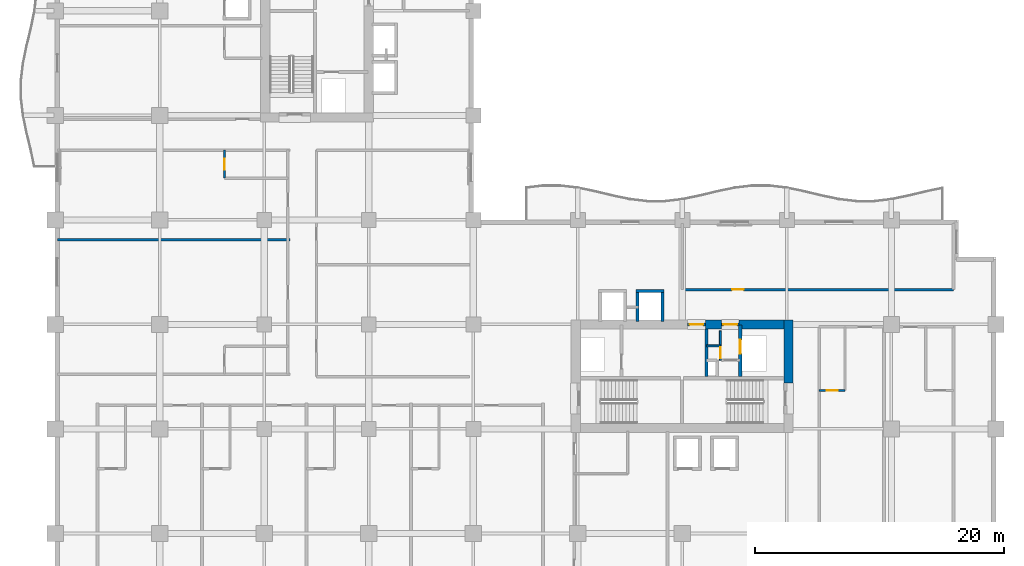
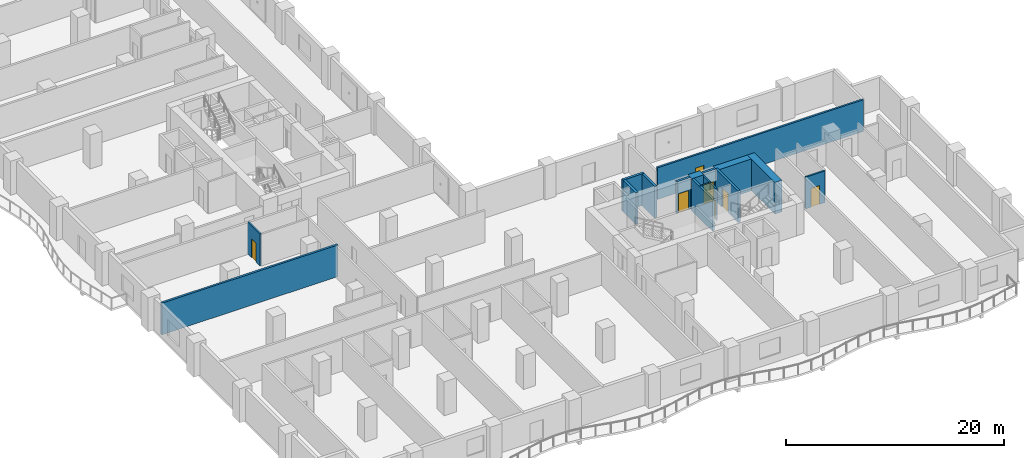
# One storey, part 6 of 18: 16 walls, 7 doors, 7 openings.
"""IFC4 building model written with IfcOpenShell, lengths in metres."""

from ifc_helpers import new_model, si_unit, direction, frame, frame_2d, origin, place, context, subcontext, project, spatial, rectangle, extrude, material, layer, layer_set, type_object, element, fill, save


model = new_model("IFC4")

# Units and contexts
model_context = context("Model", 3, precision=1e-05, world=origin(), true_north=direction((0.0, 1.0)))
body_context = subcontext(model_context, "Body", "Model", "MODEL_VIEW")
ifc_project = project(units=[si_unit("LENGTHUNIT", "METRE"), si_unit("AREAUNIT", "SQUARE_METRE"), si_unit("VOLUMEUNIT", "CUBIC_METRE"), si_unit("PLANEANGLEUNIT", "RADIAN"), si_unit("MASSUNIT", "GRAM", prefix="KILO")], contexts=[model_context])

# Site, building, storey
site_placement = place(None, origin())
site = spatial("IfcSite", under=ifc_project, at=site_placement, CompositionType="ELEMENT")
building_placement = place(site_placement, origin())
building = spatial("IfcBuilding", under=site, at=building_placement, Name="Koriwani Terraces Tower", CompositionType="ELEMENT")
storey_placement = place(building_placement, frame((0.0, 0.0, 100.0)))
storey = spatial("IfcBuildingStorey", under=building, at=storey_placement, Name="L23", CompositionType="ELEMENT", Elevation=100.0)

# Walls
ifc_material_1 = material(Name="Concrete C60/75", Category="concrete")
ifc_layer_1 = layer(ifc_material_1, 0.75, Name="Concrete C60/75")
ifc_layer_set_1 = layer_set([ifc_layer_1], Name="Concrete C60/75")
wall_type_1 = type_object("IfcWallType", Name="WALL_CORE_RC_750", PredefinedType="SHEAR", material=ifc_layer_set_1)
wall_1_placement = place(storey_placement, frame((58.925048828125, 20.5, 0.0), z_axis=(0.0, 0.0, 1.0), x_axis=(0.0, 1.0, 0.0)))
element("IfcWall", 1, at=wall_1_placement, inside=storey, type_object=wall_type_1, Name="L23 East Split Core Shear Wall E2", PredefinedType="SHEAR", context=body_context, shape_type="SweptSolid", body=[
    extrude(rectangle(XDim=5.074951171875, YDim=0.75, at=frame_2d((2.53759765625, 0.0))), origin(), (0.0, 0.0, 1.0), 3.550048828125),
])
wall_2_placement = place(storey_placement, frame((52.280029296875, 25.199951171875, 0.0), z_axis=(0.0, 0.0, 1.0), x_axis=(1.0, 0.0, 0.0)))
element("IfcWall", 2, at=wall_2_placement, inside=storey, type_object=wall_type_1, Name="L23 East Split Core Shear Wall N2", PredefinedType="SHEAR", context=body_context, shape_type="SweptSolid", body=[
    extrude(rectangle(XDim=1.27001953125, YDim=0.75, at=frame_2d((0.635009765625, 0.0))), origin(), (0.0, 0.0, 1.0), 3.550048828125),
])
wall_3_placement = place(storey_placement, frame((54.949951171875, 25.199951171875, 0.0), z_axis=(0.0, 0.0, 1.0), x_axis=(1.0, 0.0, 0.0)))
element("IfcWall", 3, at=wall_3_placement, inside=storey, type_object=wall_type_1, Name="L23 East Split Core Shear Wall N3", PredefinedType="SHEAR", context=body_context, shape_type="SweptSolid", body=[
    extrude(rectangle(XDim=3.60009765625, YDim=0.75, at=frame_2d((1.800048828125, 0.0))), origin(), (0.0, 0.0, 1.0), 3.550048828125),
])

# Wall, opening, door
ifc_material_2 = material(Name="Autoclaved Cellular Concrete Blockwork", Category="masonry")
ifc_layer_2 = layer(ifc_material_2, 0.199951171875, Name="Autoclaved Cellular Concrete Blockwork")
ifc_layer_set_2 = layer_set([ifc_layer_2], Name="Autoclaved Cellular Concrete Blockwork")
wall_type_2 = type_object("IfcWallType", Name="WALL_CORRIDOR_200", PredefinedType="PARTITIONING", material=ifc_layer_set_2)
wall_4_placement = place(storey_placement, frame((50.39990234375, 28.0, 0.0), z_axis=(0.0, 0.0, 1.0), x_axis=(1.0, 0.0, 0.0)))
wall_4 = element("IfcWall", 4, at=wall_4_placement, inside=storey, type_object=wall_type_2, Name="L23 Interior Wall WSEC-S-L23", PredefinedType="PARTITIONING", context=body_context, shape_type="SweptSolid", body=[
    extrude(rectangle(XDim=21.800048828125, YDim=0.199951171875, at=frame_2d((10.89990234375, 0.0))), origin(), (0.0, 0.0, 1.0), 3.550048828125),
])
opening_1_placement = place(wall_4_placement, frame((4.0, 0.0, 0.0)))
opening_1 = element("IfcOpeningElement", 5, at=opening_1_placement, cuts=wall_4, Name="Opening D-06", PredefinedType="OPENING", context=body_context, shape_type="SweptSolid", body=[
    extrude(rectangle(XDim=0.919921875, YDim=2.10009765625, at=frame_2d((0.4599609375, 1.050048828125))), frame((0.0, 0.10986328125, 0.0), z_axis=(0.0, -1.0, 0.0), x_axis=(1.0, 0.0, 0.0)), (0.0, 0.0, 1.0), 0.219970703125),
])
ifc_material_3 = material(Name="Architectural Oak Fire Door", Category="wood")
door_type_1 = type_object("IfcDoorType", Name="DOOR_ROOM_INT_920X2100", OperationType="NOTDEFINED", PredefinedType="DOOR", material=ifc_material_3)
door_1_placement = place(opening_1_placement, origin())
door_1 = element("IfcDoor", 6, at=door_1_placement, inside=storey, type_object=door_type_1, Name="L23 East Court Study Door", OperationType="SINGLE_SWING_RIGHT", OverallHeight=2.10009765625, OverallWidth=0.919921875, PredefinedType="DOOR", context=body_context, shape_type="SweptSolid", body=[
    extrude(rectangle(XDim=0.919921875, YDim=2.10009765625, at=frame_2d((0.4599609375, 1.050048828125))), frame((0.0, 0.02490234375, 0.0), z_axis=(0.0, -1.0, 0.0), x_axis=(1.0, 0.0, 0.0)), (0.0, 0.0, 1.0), 0.050048828125),
])
fill(opening_1, door_1)

# Wall
ifc_layer_3 = layer(ifc_material_2, 0.219970703125, Name="Autoclaved Cellular Concrete Blockwork")
ifc_layer_set_3 = layer_set([ifc_layer_3], Name="Autoclaved Cellular Concrete Blockwork")
wall_type_3 = type_object("IfcWallType", Name="WALL_DEMISING_220", PredefinedType="PARTITIONING", material=ifc_layer_set_3)
wall_5_placement = place(storey_placement, frame((0.199951171875, 32.0, 0.0), z_axis=(0.0, 0.0, 1.0), x_axis=(1.0, 0.0, 0.0)))
element("IfcWall", 7, at=wall_5_placement, inside=storey, type_object=wall_type_3, Name="L23 Interior Wall WDEM-L23-NW-1", PredefinedType="PARTITIONING", context=body_context, shape_type="SweptSolid", body=[
    extrude(rectangle(XDim=18.679931640625, YDim=0.219970703125, at=frame_2d((9.33984375, 0.0))), origin(), (0.0, 0.0, 1.0), 3.550048828125),
])

# Wall, opening, door
ifc_material_4 = material(Name="Fire-Rated Acoustic Gypsum Partition", Category="masonry")
ifc_layer_4 = layer(ifc_material_4, 0.179931640625, Name="Fire-Rated Acoustic Gypsum Partition")
ifc_layer_set_4 = layer_set([ifc_layer_4], Name="Fire-Rated Acoustic Gypsum Partition")
wall_type_4 = type_object("IfcWallType", Name="WALL_PLUMBING_180", PredefinedType="PLUMBINGWALL", material=ifc_layer_set_4)
wall_6_placement = place(storey_placement, frame((13.60009765625, 36.949951171875, 0.0), z_axis=(0.0, 0.0, 1.0), x_axis=(0.0, 1.0, 0.0)))
wall_6 = element("IfcWall", 8, at=wall_6_placement, inside=storey, type_object=wall_type_4, Name="L23 Interior Wall WBTH1-L23-NW-1", PredefinedType="PLUMBINGWALL", context=body_context, shape_type="SweptSolid", body=[
    extrude(rectangle(XDim=2.25, YDim=0.179931640625, at=frame_2d((1.125, 0.0))), origin(), (0.0, 0.0, 1.0), 3.550048828125),
])
opening_2_placement = place(wall_6_placement, frame((0.675048828125, 0.0, 0.0)))
opening_2 = element("IfcOpeningElement", 9, at=opening_2_placement, cuts=wall_6, Name="Opening D-07", PredefinedType="OPENING", context=body_context, shape_type="SweptSolid", body=[
    extrude(rectangle(XDim=0.89990234375, YDim=2.10009765625, at=frame_2d((0.449951171875, 1.050048828125))), frame((0.0, 0.10009765625, 0.0), z_axis=(0.0, -1.0, 0.0), x_axis=(1.0, 0.0, 0.0)), (0.0, 0.0, 1.0), 0.199951171875),
])
door_type_2 = type_object("IfcDoorType", Name="DOOR_BATH_INT_900X2100", OperationType="NOTDEFINED", PredefinedType="DOOR", material=ifc_material_3)
door_2_placement = place(opening_2_placement, origin())
door_2 = element("IfcDoor", 10, at=door_2_placement, inside=storey, type_object=door_type_2, Name="En-Suite Bathroom 23NW2 Door", OperationType="SINGLE_SWING_RIGHT", OverallHeight=2.10009765625, OverallWidth=0.89990234375, PredefinedType="DOOR", context=body_context, shape_type="SweptSolid", body=[
    extrude(rectangle(XDim=0.89990234375, YDim=2.10009765625, at=frame_2d((0.449951171875, 1.050048828125))), frame((0.0, 0.02490234375, 0.0), z_axis=(0.0, -1.0, 0.0), x_axis=(1.0, 0.0, 0.0)), (0.0, 0.0, 1.0), 0.050048828125),
])
fill(opening_2, door_2)

wall_7_placement = place(storey_placement, frame((61.39990234375, 19.89990234375, 0.0), z_axis=(0.0, 0.0, 1.0), x_axis=(1.0, 0.0, 0.0)))
wall_7 = element("IfcWall", 11, at=wall_7_placement, inside=storey, type_object=wall_type_4, Name="L23 Interior Wall WBTH1-L23-SE-0", PredefinedType="PLUMBINGWALL", context=body_context, shape_type="SweptSolid", body=[
    extrude(rectangle(XDim=2.080078125, YDim=0.179931640625, at=frame_2d((1.0400390625, 0.0))), origin(), (0.0, 0.0, 1.0), 3.550048828125),
])
opening_3_placement = place(wall_7_placement, frame((0.590087890625, 0.0, 0.0)))
opening_3 = element("IfcOpeningElement", 12, at=opening_3_placement, cuts=wall_7, Name="Opening D-07", PredefinedType="OPENING", context=body_context, shape_type="SweptSolid", body=[
    extrude(rectangle(XDim=0.89990234375, YDim=2.10009765625, at=frame_2d((0.449951171875, 1.050048828125))), frame((0.0, 0.10009765625, 0.0), z_axis=(0.0, -1.0, 0.0), x_axis=(1.0, 0.0, 0.0)), (0.0, 0.0, 1.0), 0.199951171875),
])
door_3_placement = place(opening_3_placement, origin())
door_3 = element("IfcDoor", 13, at=door_3_placement, inside=storey, type_object=door_type_2, Name="En-Suite Bathroom 23SE1 Door", OperationType="SINGLE_SWING_LEFT", OverallHeight=2.10009765625, OverallWidth=0.89990234375, PredefinedType="DOOR", context=body_context, shape_type="SweptSolid", body=[
    extrude(rectangle(XDim=0.89990234375, YDim=2.10009765625, at=frame_2d((0.449951171875, 1.050048828125))), frame((0.0, 0.02490234375, 0.0), z_axis=(0.0, -1.0, 0.0), x_axis=(1.0, 0.0, 0.0)), (0.0, 0.0, 1.0), 0.050048828125),
])
fill(opening_3, door_3)

ifc_material_5 = material(Name="Concrete C40/50", Category="concrete")
ifc_layer_5 = layer(ifc_material_5, 0.25, Name="Concrete C40/50")
ifc_layer_set_5 = layer_set([ifc_layer_5], Name="Concrete C40/50")
wall_type_5 = type_object("IfcWallType", Name="WALL_SHAFT_RATED_250", PredefinedType="SOLIDWALL", material=ifc_layer_set_5)
wall_8_placement = place(storey_placement, frame((50.800048828125, 25.199951171875, 0.0), z_axis=(0.0, 0.0, 1.0), x_axis=(1.0, 0.0, 0.0)))
wall_8 = element("IfcWall", 14, at=wall_8_placement, inside=storey, type_object=wall_type_5, Name="L23 Interior Wall WIN-CE-L23-NP", PredefinedType="SOLIDWALL", context=body_context, shape_type="SweptSolid", body=[
    extrude(rectangle(XDim=1.47998046875, YDim=0.25, at=frame_2d((0.739990234375, 0.0))), origin(), (0.0, 0.0, 1.0), 3.550048828125),
])
opening_4_placement = place(wall_8_placement, frame((0.179931640625, 0.0, 0.0)))
opening_4 = element("IfcOpeningElement", 15, at=opening_4_placement, cuts=wall_8, Name="Opening D-03", PredefinedType="OPENING", context=body_context, shape_type="SweptSolid", body=[
    extrude(rectangle(XDim=1.10009765625, YDim=2.14990234375, at=frame_2d((0.550048828125, 1.074951171875))), frame((0.0, 0.135009765625, 0.0), z_axis=(0.0, -1.0, 0.0), x_axis=(1.0, 0.0, 0.0)), (0.0, 0.0, 1.0), 0.27001953125),
])
ifc_material_6 = material(Name="Steel ASTM A572 Grade 50", Category="steel")
door_type_3 = type_object("IfcDoorType", Name="DOOR_STAIR_FIRE_1100X2150", OperationType="NOTDEFINED", PredefinedType="DOOR", material=ifc_material_6)
door_4_placement = place(opening_4_placement, origin())
door_4 = element("IfcDoor", 16, at=door_4_placement, inside=storey, type_object=door_type_3, Name="L23 East Firefighting Lobby Door", OperationType="SINGLE_SWING_RIGHT", OverallHeight=2.14990234375, OverallWidth=1.10009765625, PredefinedType="DOOR", context=body_context, shape_type="SweptSolid", body=[
    extrude(rectangle(XDim=1.10009765625, YDim=2.14990234375, at=frame_2d((0.550048828125, 1.074951171875))), frame((0.0, 0.02490234375, 0.0), z_axis=(0.0, -1.0, 0.0), x_axis=(1.0, 0.0, 0.0)), (0.0, 0.0, 1.0), 0.050048828125),
])
fill(opening_4, door_4)

# Wall
wall_9_placement = place(storey_placement, frame((52.340087890625, 21.0, 0.0), z_axis=(0.0, 0.0, 1.0), x_axis=(0.0, 1.0, 0.0)))
element("IfcWall", 17, at=wall_9_placement, inside=storey, type_object=wall_type_5, Name="L23 Interior Wall WIN-CE-L23-FFE", PredefinedType="SOLIDWALL", context=body_context, shape_type="SweptSolid", body=[
    extrude(rectangle(XDim=3.824951171875, YDim=0.25, at=frame_2d((1.91259765625, 0.0))), origin(), (0.0, 0.0, 1.0), 3.550048828125),
])

# Wall, opening, door
wall_10_placement = place(storey_placement, frame((55.050048828125, 21.0, 0.0), z_axis=(0.0, 0.0, 1.0), x_axis=(0.0, 1.0, 0.0)))
wall_10 = element("IfcWall", 18, at=wall_10_placement, inside=storey, type_object=wall_type_5, Name="L23 Interior Wall WIN-CE-L23-SE", PredefinedType="SOLIDWALL", context=body_context, shape_type="SweptSolid", body=[
    extrude(rectangle(XDim=4.14990234375, YDim=0.25, at=frame_2d((2.074951171875, 0.0))), origin(), (0.0, 0.0, 1.0), 3.550048828125),
])
opening_5_placement = place(wall_10_placement, frame((1.85009765625, 0.0, 0.0)))
opening_5 = element("IfcOpeningElement", 19, at=opening_5_placement, cuts=wall_10, Name="Opening LD-01", PredefinedType="OPENING", context=body_context, shape_type="SweptSolid", body=[
    extrude(rectangle(XDim=1.10009765625, YDim=2.14990234375, at=frame_2d((0.550048828125, 1.074951171875))), frame((0.0, 0.135009765625, 0.0), z_axis=(0.0, -1.0, 0.0), x_axis=(1.0, 0.0, 0.0)), (0.0, 0.0, 1.0), 0.27001953125),
])
door_type_4 = type_object("IfcDoorType", Name="DOOR_LIFT_LANDING_1100X2200", OperationType="NOTDEFINED", PredefinedType="DOOR", material=ifc_material_6)
door_5_placement = place(opening_5_placement, origin())
door_5 = element("IfcDoor", 20, at=door_5_placement, inside=storey, type_object=door_type_4, Name="L23 Goods Lift SE-02 Landing Door", OperationType="SLIDING_TO_LEFT", OverallHeight=2.14990234375, OverallWidth=1.10009765625, PredefinedType="DOOR", context=body_context, shape_type="SweptSolid", body=[
    extrude(rectangle(XDim=1.10009765625, YDim=2.14990234375, at=frame_2d((0.550048828125, 1.074951171875))), frame((0.0, 0.02490234375, 0.0), z_axis=(0.0, -1.0, 0.0), x_axis=(1.0, 0.0, 0.0)), (0.0, 0.0, 1.0), 0.050048828125),
])
fill(opening_5, door_5)

wall_11_placement = place(storey_placement, frame((53.550048828125, 25.199951171875, 0.0), z_axis=(0.0, 0.0, 1.0), x_axis=(1.0, 0.0, 0.0)))
wall_11 = element("IfcWall", 21, at=wall_11_placement, inside=storey, type_object=wall_type_5, Name="L23 Interior Wall WIN-CE-L23-NP2", PredefinedType="SOLIDWALL", context=body_context, shape_type="SweptSolid", body=[
    extrude(rectangle(XDim=1.39990234375, YDim=0.25, at=frame_2d((0.699951171875, 0.0))), origin(), (0.0, 0.0, 1.0), 3.550048828125),
])
opening_6_placement = place(wall_11_placement, frame((0.14990234375, 0.0, 0.0)))
opening_6 = element("IfcOpeningElement", 22, at=opening_6_placement, cuts=wall_11, Name="Opening D-03", PredefinedType="OPENING", context=body_context, shape_type="SweptSolid", body=[
    extrude(rectangle(XDim=1.10009765625, YDim=2.14990234375, at=frame_2d((0.550048828125, 1.074951171875))), frame((0.0, 0.135009765625, 0.0), z_axis=(0.0, -1.0, 0.0), x_axis=(1.0, 0.0, 0.0)), (0.0, 0.0, 1.0), 0.27001953125),
])
door_6_placement = place(opening_6_placement, origin())
door_6 = element("IfcDoor", 23, at=door_6_placement, inside=storey, type_object=door_type_3, Name="L23 East Goods Lift Lobby Door", OperationType="SINGLE_SWING_LEFT", OverallHeight=2.14990234375, OverallWidth=1.10009765625, PredefinedType="DOOR", context=body_context, shape_type="SweptSolid", body=[
    extrude(rectangle(XDim=1.10009765625, YDim=2.14990234375, at=frame_2d((0.550048828125, 1.074951171875))), frame((0.0, 0.02490234375, 0.0), z_axis=(0.0, -1.0, 0.0), x_axis=(1.0, 0.0, 0.0)), (0.0, 0.0, 1.0), 0.050048828125),
])
fill(opening_6, door_6)

# Walls
wall_12_placement = place(storey_placement, frame((46.675048828125, 27.89990234375, 0.0), z_axis=(0.0, 0.0, 1.0), x_axis=(1.0, 0.0, 0.0)))
element("IfcWall", 24, at=wall_12_placement, inside=storey, type_object=wall_type_5, Name="L23 Interior Wall WIN-LF-PE-H4-L23-F", PredefinedType="SOLIDWALL", context=body_context, shape_type="SweptSolid", body=[
    extrude(rectangle(XDim=2.25, YDim=0.25, at=frame_2d((1.125, 0.0))), origin(), (0.0, 0.0, 1.0), 3.550048828125),
])
for number, where, z_axis, x_axis, name in (
    (25, (46.800048828125, 25.449951171875, 0.0), (0.0, 0.0, 1.0), (0.0, 1.0, 0.0), "L23 Interior Wall WIN-LF-PE-H4-L23-W"),
    (26, (48.800048828125, 25.449951171875, 0.0), (0.0, 0.0, 1.0), (0.0, 1.0, 0.0), "L23 Interior Wall WIN-LF-PE-H4-L23-E"),
):
    element("IfcWall", number, at=place(storey_placement, frame(where, z_axis=z_axis, x_axis=x_axis)), inside=storey, type_object=wall_type_5, Name=name, PredefinedType="SOLIDWALL", context=body_context, shape_type="SweptSolid", body=[
        extrude(rectangle(XDim=2.324951171875, YDim=0.25, at=frame_2d((1.16259765625, 0.0))), origin(), (0.0, 0.0, 1.0), 3.550048828125),
    ])

# Wall, opening, door
ifc_layer_6 = layer(ifc_material_4, 0.159912109375, Name="Fire-Rated Acoustic Gypsum Partition")
ifc_layer_set_6 = layer_set([ifc_layer_6], Name="Fire-Rated Acoustic Gypsum Partition")
wall_type_6 = type_object("IfcWallType", Name="WALL_SUITE_160", PredefinedType="PARTITIONING", material=ifc_layer_set_6)
wall_13_placement = place(storey_placement, frame((53.4599609375, 22.320068359375, 0.0), z_axis=(0.0, 0.0, 1.0), x_axis=(0.0, 1.0, 0.0)))
wall_13 = element("IfcWall", 27, at=wall_13_placement, inside=storey, type_object=wall_type_6, Name="L23 Interior Wall WIN-CE-L23-SV2H", PredefinedType="PARTITIONING", context=body_context, shape_type="SweptSolid", body=[
    extrude(rectangle(XDim=2.35986328125, YDim=0.159912109375, at=frame_2d((1.179931640625, 0.0))), origin(), (0.0, 0.0, 1.0), 3.550048828125),
])
opening_7_placement = place(wall_13_placement, frame((0.159912109375, 0.0, 0.0)))
opening_7 = element("IfcOpeningElement", 28, at=opening_7_placement, cuts=wall_13, Name="Opening D-07", PredefinedType="OPENING", context=body_context, shape_type="SweptSolid", body=[
    extrude(rectangle(XDim=0.89990234375, YDim=2.10009765625, at=frame_2d((0.449951171875, 1.050048828125))), frame((0.0, 0.08984375, 0.0), z_axis=(0.0, -1.0, 0.0), x_axis=(1.0, 0.0, 0.0)), (0.0, 0.0, 1.0), 0.179931640625),
])
door_7_placement = place(opening_7_placement, origin())
door_7 = element("IfcDoor", 29, at=door_7_placement, inside=storey, type_object=door_type_2, Name="L23 East Valve Room Door", OperationType="SINGLE_SWING_LEFT", OverallHeight=2.10009765625, OverallWidth=0.89990234375, PredefinedType="DOOR", context=body_context, shape_type="SweptSolid", body=[
    extrude(rectangle(XDim=0.89990234375, YDim=2.10009765625, at=frame_2d((0.449951171875, 1.050048828125))), frame((0.0, 0.02490234375, 0.0), z_axis=(0.0, -1.0, 0.0), x_axis=(1.0, 0.0, 0.0)), (0.0, 0.0, 1.0), 0.050048828125),
])
fill(opening_7, door_7)

# Wall
wall_14_placement = place(storey_placement, frame((52.360107421875, 23.47998046875, 0.0), z_axis=(0.0, 0.0, 1.0), x_axis=(1.0, 0.0, 0.0)))
element("IfcWall", 30, at=wall_14_placement, inside=storey, type_object=wall_type_6, Name="L23 Interior Wall WIN-CE-L23-SV2V", PredefinedType="PARTITIONING", context=body_context, shape_type="SweptSolid", body=[
    extrude(rectangle(XDim=1.099853515625, YDim=0.159912109375, at=frame_2d((0.5498046875, 0.0))), origin(), (0.0, 0.0, 1.0), 3.550048828125),
])

save(model, "model.ifc")
